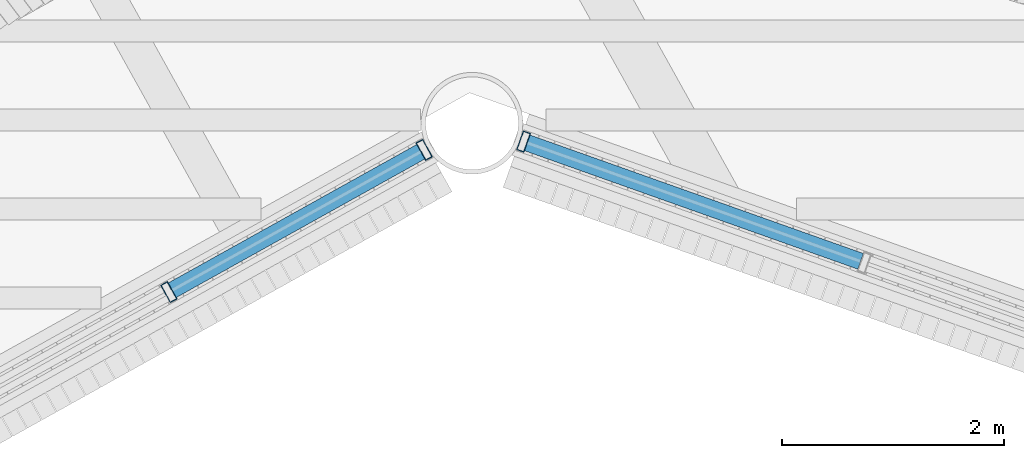
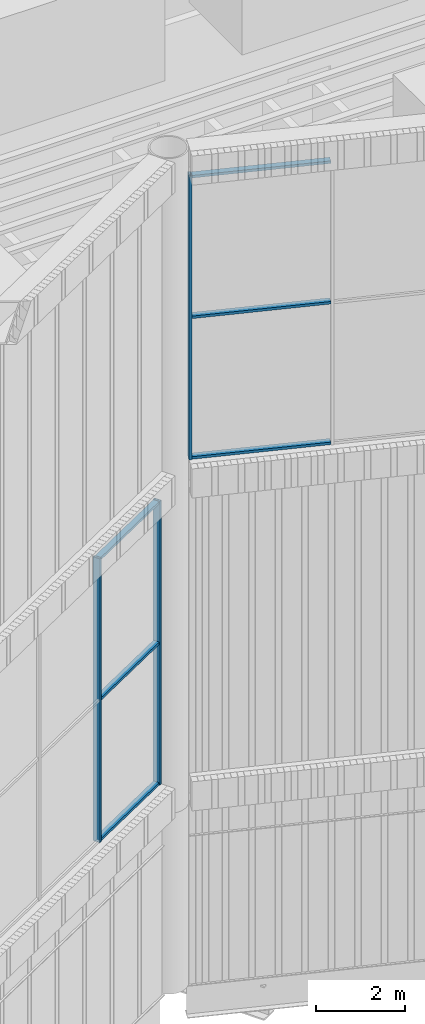
# One storey, part 12 of 117: 9 members, 2 elements without a shape of their own.
"""IFC4 building model written with IfcOpenShell, lengths in metres."""

from ifc_helpers import new_model, si_unit, direction, frame, origin, origin_2d, place, context, subcontext, project, spatial, hollow_rectangle, extrude, material, layer, layer_set, material_profile, profile_set, type_object, element, aggregate, save


model = new_model("IFC4")

# Units and contexts
model_context = context("Model", 3, precision=1e-05, world=origin(), true_north=direction((0.0, 1.0)))
body_context = subcontext(model_context, "Body", "Model", "MODEL_VIEW")
ifc_project = project(units=[si_unit("LENGTHUNIT", "METRE"), si_unit("AREAUNIT", "SQUARE_METRE"), si_unit("VOLUMEUNIT", "CUBIC_METRE"), si_unit("PLANEANGLEUNIT", "RADIAN"), si_unit("MASSUNIT", "GRAM", prefix="KILO")], contexts=[model_context])

# Site, building, storey
site_placement = place(None, origin())
site = spatial("IfcSite", under=ifc_project, at=site_placement, CompositionType="ELEMENT")
building_placement = place(site_placement, origin())
building = spatial("IfcBuilding", under=site, at=building_placement, Name="Tarsis Ring Headquarters", CompositionType="ELEMENT")
storey_placement = place(building_placement, frame((0.0, 0.0, 403.60009765625)))
storey = spatial("IfcBuildingStorey", under=building, at=storey_placement, Name="L95", CompositionType="ELEMENT", Elevation=403.60009765625)

# Curtain wall, members
ifc_material_1 = material(Name="Aluminium curtain wall", Category="aluminium")
ifc_layer = layer(ifc_material_1, 0.179931640625)
ifc_layer_set = layer_set([ifc_layer], Name="Curtain wall crown glazing")
curtain_wall_type = type_object("IfcCurtainWallType", Name="Curtain wall crown glazing", PredefinedType="NOTDEFINED", material=ifc_layer_set)
curtain_wall_1_placement = place(storey_placement, origin())
curtain_wall_1 = element("IfcCurtainWall", 1, at=curtain_wall_1_placement, inside=storey, type_object=curtain_wall_type, Name="Crown glazing L19", PredefinedType="NOTDEFINED")
ifc_material_2 = material(Name="Aluminium mullion", Category="aluminium")
ifc_material_profile_1 = material_profile(ifc_material_2, hollow_rectangle(XDim=0.179931640625, YDim=0.070068359375, WallThickness=0.0048828125, at=origin_2d()), Name="RHS 180x70x5")
ifc_profile_set_1 = profile_set([ifc_material_profile_1], Name="Aluminium mullion")
member_type_1 = type_object("IfcMemberType", Name="Crown glazing mullion RHS 180x70x5", PredefinedType="MULLION", material=ifc_profile_set_1)
member_1_placement = place(storey_placement, frame((-17.359375, -26.611328125, 5.7998046875), z_axis=(0.0, 0.0, 1.0), x_axis=(-0.486640205409, 0.873602489969, 0.0)))
member_1 = element("IfcMember", 2, at=member_1_placement, type_object=member_type_1, Name="CW-C mullion 3", PredefinedType="MULLION", context=body_context, shape_type="SweptSolid", body=[
    extrude(hollow_rectangle(XDim=0.179931640625, YDim=0.070068359375, WallThickness=0.0048828125, at=origin_2d()), origin(), (0.0, 0.0, 1.0), 7.800048828125),
])
member_2_placement = place(storey_placement, frame((-15.063720703125, -25.33251953125, 5.7998046875), z_axis=(0.0, 0.0, 1.0), x_axis=(-0.486640205409, 0.873602489969, 0.0)))
member_2 = element("IfcMember", 3, at=member_2_placement, type_object=member_type_1, Name="CW-C mullion 4", PredefinedType="MULLION", context=body_context, shape_type="SweptSolid", body=[
    extrude(hollow_rectangle(XDim=0.179931640625, YDim=0.070068359375, WallThickness=0.0048828125, at=origin_2d()), origin(), (0.0, 0.0, 1.0), 7.800048828125),
])

# Curtain wall, member
curtain_wall_2_placement = place(storey_placement, origin())
curtain_wall_2 = element("IfcCurtainWall", 4, at=curtain_wall_2_placement, inside=storey, type_object=curtain_wall_type, Name="Crown glazing U20", PredefinedType="NOTDEFINED")
member_3_placement = place(storey_placement, frame((-14.170166015625, -25.2578125, 14.39990234375), z_axis=(0.0, 0.0, 1.0), x_axis=(0.334875807731, 0.942262274209, 0.0)))
member_3 = element("IfcMember", 5, at=member_3_placement, type_object=member_type_1, Name="CW-C mullion 1", PredefinedType="MULLION", context=body_context, shape_type="SweptSolid", body=[
    extrude(hollow_rectangle(XDim=0.179931640625, YDim=0.070068359375, WallThickness=0.0048828125, at=origin_2d()), origin(), (0.0, 0.0, 1.0), 7.800048828125),
])

# Member
ifc_material_3 = material(Name="Aluminium transom", Category="aluminium")
ifc_material_profile_2 = material_profile(ifc_material_3, hollow_rectangle(XDim=0.14990234375, YDim=0.070068359375, WallThickness=0.0048828125, at=origin_2d()), Name="RHS 150x70x5")
ifc_profile_set_2 = profile_set([ifc_material_profile_2], Name="Aluminium transom")
member_type_2 = type_object("IfcMemberType", Name="Crown glazing transom RHS 150x70x5", PredefinedType="USERDEFINED", material=ifc_profile_set_2)
member_4_placement = place(storey_placement, frame((-17.32861328125, -26.59423828125, 5.8349609375), z_axis=(0.873607398367, 0.486631393889, 0.0), x_axis=(-0.486631393889, 0.873607398367, 0.0)))
member_4 = element("IfcMember", 6, at=member_4_placement, type_object=member_type_2, Name="CW-C transom 3.1", ObjectType="TRANSOM", PredefinedType="USERDEFINED", context=body_context, shape_type="SweptSolid", body=[
    extrude(hollow_rectangle(XDim=0.14990234375, YDim=0.070068359375, WallThickness=0.0048828125, at=origin_2d()), origin(), (0.0, 0.0, 1.0), 2.5576171875),
])

member_5_placement = place(storey_placement, frame((-17.32861328125, -26.59423828125, 9.699951171875), z_axis=(0.873607398367, 0.486631393889, 0.0), x_axis=(-0.486631393889, 0.873607398367, 0.0)))
member_5 = element("IfcMember", 7, at=member_5_placement, type_object=member_type_2, Name="CW-C transom 3.2", ObjectType="TRANSOM", PredefinedType="USERDEFINED", context=body_context, shape_type="SweptSolid", body=[
    extrude(hollow_rectangle(XDim=0.14990234375, YDim=0.070068359375, WallThickness=0.0048828125, at=origin_2d()), origin(), (0.0, 0.0, 1.0), 2.5576171875),
])

member_6_placement = place(storey_placement, frame((-17.32861328125, -26.59423828125, 13.56494140625), z_axis=(0.873607398367, 0.486631393889, 0.0), x_axis=(-0.486631393889, 0.873607398367, 0.0)))
member_6 = element("IfcMember", 8, at=member_6_placement, type_object=member_type_2, Name="CW-C transom 3.3", ObjectType="TRANSOM", PredefinedType="USERDEFINED", context=body_context, shape_type="SweptSolid", body=[
    extrude(hollow_rectangle(XDim=0.14990234375, YDim=0.070068359375, WallThickness=0.0048828125, at=origin_2d()), origin(), (0.0, 0.0, 1.0), 2.5576171875),
])

aggregate(curtain_wall_1, [member_1, member_2, member_4, member_5, member_6])

member_7_placement = place(storey_placement, frame((-14.13720703125, -25.26953125, 14.434814453125), z_axis=(0.94225829297, -0.334887009794, 0.0), x_axis=(0.334887009794, 0.94225829297, 0.0)))
member_7 = element("IfcMember", 9, at=member_7_placement, type_object=member_type_2, Name="CW-C transom 1.1", ObjectType="TRANSOM", PredefinedType="USERDEFINED", context=body_context, shape_type="SweptSolid", body=[
    extrude(hollow_rectangle(XDim=0.14990234375, YDim=0.070068359375, WallThickness=0.0048828125, at=origin_2d()), origin(), (0.0, 0.0, 1.0), 3.1806640625),
])

member_8_placement = place(storey_placement, frame((-14.13720703125, -25.26953125, 18.2998046875), z_axis=(0.94225829297, -0.334887009794, 0.0), x_axis=(0.334887009794, 0.94225829297, 0.0)))
member_8 = element("IfcMember", 10, at=member_8_placement, type_object=member_type_2, Name="CW-C transom 1.2", ObjectType="TRANSOM", PredefinedType="USERDEFINED", context=body_context, shape_type="SweptSolid", body=[
    extrude(hollow_rectangle(XDim=0.14990234375, YDim=0.070068359375, WallThickness=0.0048828125, at=origin_2d()), origin(), (0.0, 0.0, 1.0), 3.1806640625),
])

member_9_placement = place(storey_placement, frame((-14.13720703125, -25.26953125, 22.164794921875), z_axis=(0.94225829297, -0.334887009794, 0.0), x_axis=(0.334887009794, 0.94225829297, 0.0)))
member_9 = element("IfcMember", 11, at=member_9_placement, type_object=member_type_2, Name="CW-C transom 1.3", ObjectType="TRANSOM", PredefinedType="USERDEFINED", context=body_context, shape_type="SweptSolid", body=[
    extrude(hollow_rectangle(XDim=0.14990234375, YDim=0.070068359375, WallThickness=0.0048828125, at=origin_2d()), origin(), (0.0, 0.0, 1.0), 3.1806640625),
])

aggregate(curtain_wall_2, [member_3, member_7, member_8, member_9])

save(model, "model.ifc")
